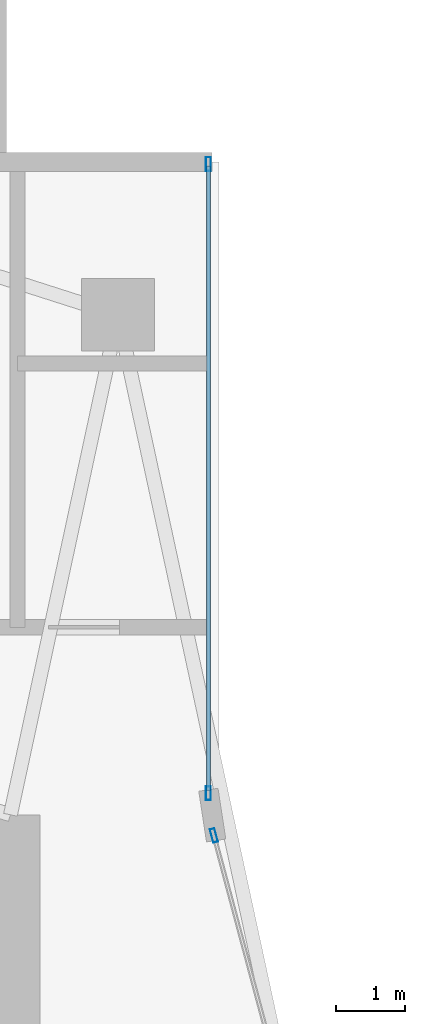
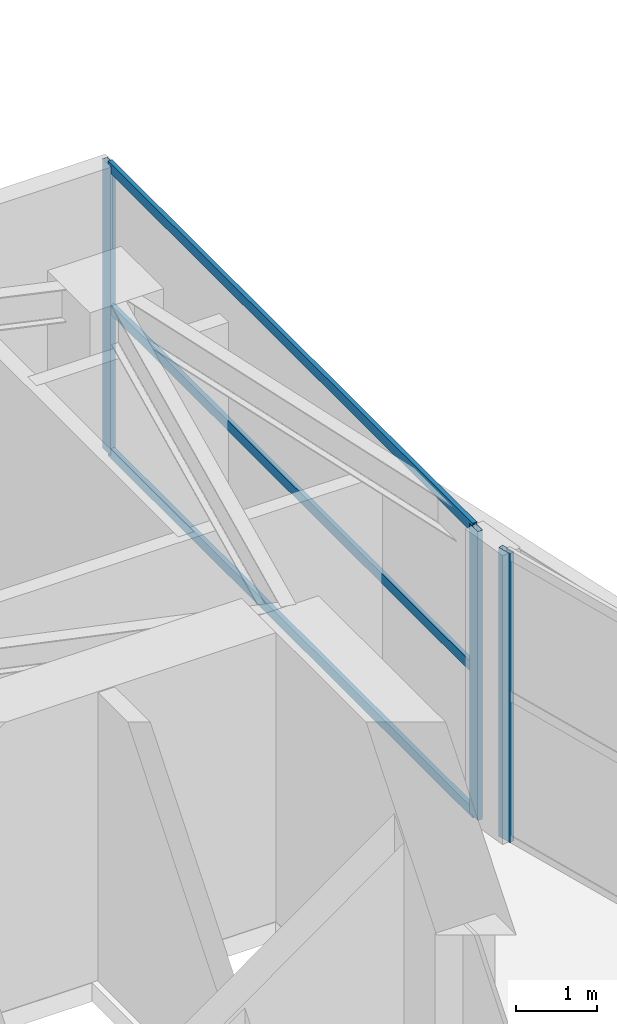
# One storey, part 6 of 17: 6 members, 2 elements without a shape of their own.
"""IFC4 building model written with IfcOpenShell, lengths in metres."""

from ifc_helpers import new_model, si_unit, direction, frame, origin, origin_2d, place, context, subcontext, project, spatial, hollow_rectangle, extrude, material, layer, layer_set, material_profile, profile_set, type_object, element, aggregate, save


model = new_model("IFC4")

# Units and contexts
model_context = context("Model", 3, precision=1e-05, world=origin(), true_north=direction((0.0, 1.0)))
body_context = subcontext(model_context, "Body", "Model", "MODEL_VIEW")
ifc_project = project(units=[si_unit("LENGTHUNIT", "METRE"), si_unit("AREAUNIT", "SQUARE_METRE"), si_unit("VOLUMEUNIT", "CUBIC_METRE"), si_unit("PLANEANGLEUNIT", "RADIAN"), si_unit("MASSUNIT", "GRAM", prefix="KILO")], contexts=[model_context])

# Site, building, storey
site_placement = place(None, origin())
site = spatial("IfcSite", under=ifc_project, at=site_placement, CompositionType="ELEMENT")
building_placement = place(site_placement, origin())
building = spatial("IfcBuilding", under=site, at=building_placement, Name="Calvorn Quay Hotel", CompositionType="ELEMENT")
storey_placement = place(building_placement, frame((0.0, 0.0, 186.5)))
storey = spatial("IfcBuildingStorey", under=building, at=storey_placement, Name="L46", CompositionType="ELEMENT", Elevation=186.5)

# Curtain wall, member
ifc_material_1 = material(Name="Pale Anodised Aluminium and Low-E Glass", Category="aluminium")
ifc_layer = layer(ifc_material_1, 0.219970703125)
ifc_layer_set = layer_set([ifc_layer], Name="CW-SYS-Z2")
curtain_wall_type = type_object("IfcCurtainWallType", Name="CW-SYS-Z2", PredefinedType="NOTDEFINED", material=ifc_layer_set)
curtain_wall_1_placement = place(storey_placement, origin())
curtain_wall_1 = element("IfcCurtainWall", 1, at=curtain_wall_1_placement, inside=storey, type_object=curtain_wall_type, Name="Inner Court Curtain Wall L46-IC1", PredefinedType="NOTDEFINED")
ifc_material_2 = material(Name="Pale Anodised Aluminium 6063-T6", Category="aluminium")
ifc_material_profile_1 = material_profile(ifc_material_2, hollow_rectangle(XDim=0.070068359375, YDim=0.199951171875, WallThickness=0.00390625, at=origin_2d()), Name="ALU-M200x70x4")
ifc_profile_set_1 = profile_set([ifc_material_profile_1], Name="Pale Anodised Aluminium 6063-T6")
member_type_1 = type_object("IfcMemberType", Name="CW-SYS-Z2-MUL", PredefinedType="MULLION", material=ifc_profile_set_1)
member_1_placement = place(storey_placement, frame((17.9296875, 38.10107421875, 0.0), z_axis=(0.0, 0.0, 1.0), x_axis=(-0.96593652056, -0.25877913024, 0.0)))
member_1 = element("IfcMember", 2, at=member_1_placement, type_object=member_type_1, Name="CW-L46-IC1 mullion 2", PredefinedType="MULLION", context=body_context, shape_type="SweptSolid", body=[
    extrude(hollow_rectangle(XDim=0.070068359375, YDim=0.199951171875, WallThickness=0.00390625, at=origin_2d()), origin(), (0.0, 0.0, 1.0), 4.35009765625),
])
aggregate(curtain_wall_1, [member_1])

# Curtain wall, members
curtain_wall_2_placement = place(storey_placement, origin())
curtain_wall_2 = element("IfcCurtainWall", 3, at=curtain_wall_2_placement, inside=storey, type_object=curtain_wall_type, Name="Inner Court Curtain Wall L46-IC2", PredefinedType="NOTDEFINED")
member_2_placement = place(storey_placement, frame((17.85009765625, 38.7099609375, 0.0), z_axis=(0.0, 0.0, 1.0), x_axis=(-1.0, 0.0, 0.0)))
member_2 = element("IfcMember", 4, at=member_2_placement, type_object=member_type_1, Name="CW-L46-IC2 mullion 1", PredefinedType="MULLION", context=body_context, shape_type="SweptSolid", body=[
    extrude(hollow_rectangle(XDim=0.070068359375, YDim=0.199951171875, WallThickness=0.00390625, at=origin_2d()), origin(), (0.0, 0.0, 1.0), 4.35009765625),
])
member_3_placement = place(storey_placement, frame((17.85009765625, 47.77001953125, 0.0), z_axis=(0.0, 0.0, 1.0), x_axis=(-1.0, 0.0, 0.0)))
member_3 = element("IfcMember", 5, at=member_3_placement, type_object=member_type_1, Name="CW-L46-IC2 mullion 2", PredefinedType="MULLION", context=body_context, shape_type="SweptSolid", body=[
    extrude(hollow_rectangle(XDim=0.070068359375, YDim=0.199951171875, WallThickness=0.00390625, at=origin_2d()), origin(), (0.0, 0.0, 1.0), 4.35009765625),
])
ifc_material_3 = material(Name="Pale Anodised Aluminium 6063-T6", Category="aluminium")
ifc_material_profile_2 = material_profile(ifc_material_3, hollow_rectangle(XDim=0.06005859375, YDim=0.14990234375, WallThickness=0.00341796875, at=origin_2d()), Name="ALU-T150x60x3.5")
ifc_profile_set_2 = profile_set([ifc_material_profile_2], Name="Pale Anodised Aluminium 6063-T6")
member_type_2 = type_object("IfcMemberType", Name="CW-SYS-Z2-TRN", PredefinedType="USERDEFINED", material=ifc_profile_set_2)
member_4_placement = place(storey_placement, frame((17.85009765625, 38.739990234375, 0.030029296875), z_axis=(0.0, 1.0, 0.0), x_axis=(-1.0, 0.0, 0.0)))
member_4 = element("IfcMember", 6, at=member_4_placement, type_object=member_type_2, Name="CW-L46-IC2 transom 1.1", ObjectType="TRANSOM", PredefinedType="USERDEFINED", context=body_context, shape_type="SweptSolid", body=[
    extrude(hollow_rectangle(XDim=0.06005859375, YDim=0.14990234375, WallThickness=0.00341796875, at=origin_2d()), origin(), (0.0, 0.0, 1.0), 9.0),
])
member_5_placement = place(storey_placement, frame((17.85009765625, 38.739990234375, 2.199951171875), z_axis=(0.0, 1.0, 0.0), x_axis=(-1.0, 0.0, 0.0)))
member_5 = element("IfcMember", 7, at=member_5_placement, type_object=member_type_2, Name="CW-L46-IC2 transom 1.2", ObjectType="TRANSOM", PredefinedType="USERDEFINED", context=body_context, shape_type="SweptSolid", body=[
    extrude(hollow_rectangle(XDim=0.06005859375, YDim=0.14990234375, WallThickness=0.00341796875, at=origin_2d()), origin(), (0.0, 0.0, 1.0), 9.0),
])
member_6_placement = place(storey_placement, frame((17.85009765625, 38.739990234375, 4.320068359375), z_axis=(0.0, 1.0, 0.0), x_axis=(-1.0, 0.0, 0.0)))
member_6 = element("IfcMember", 8, at=member_6_placement, type_object=member_type_2, Name="CW-L46-IC2 transom 1.3", ObjectType="TRANSOM", PredefinedType="USERDEFINED", context=body_context, shape_type="SweptSolid", body=[
    extrude(hollow_rectangle(XDim=0.06005859375, YDim=0.14990234375, WallThickness=0.00341796875, at=origin_2d()), origin(), (0.0, 0.0, 1.0), 9.0),
])
aggregate(curtain_wall_2, [member_2, member_3, member_4, member_5, member_6])

save(model, "model.ifc")
